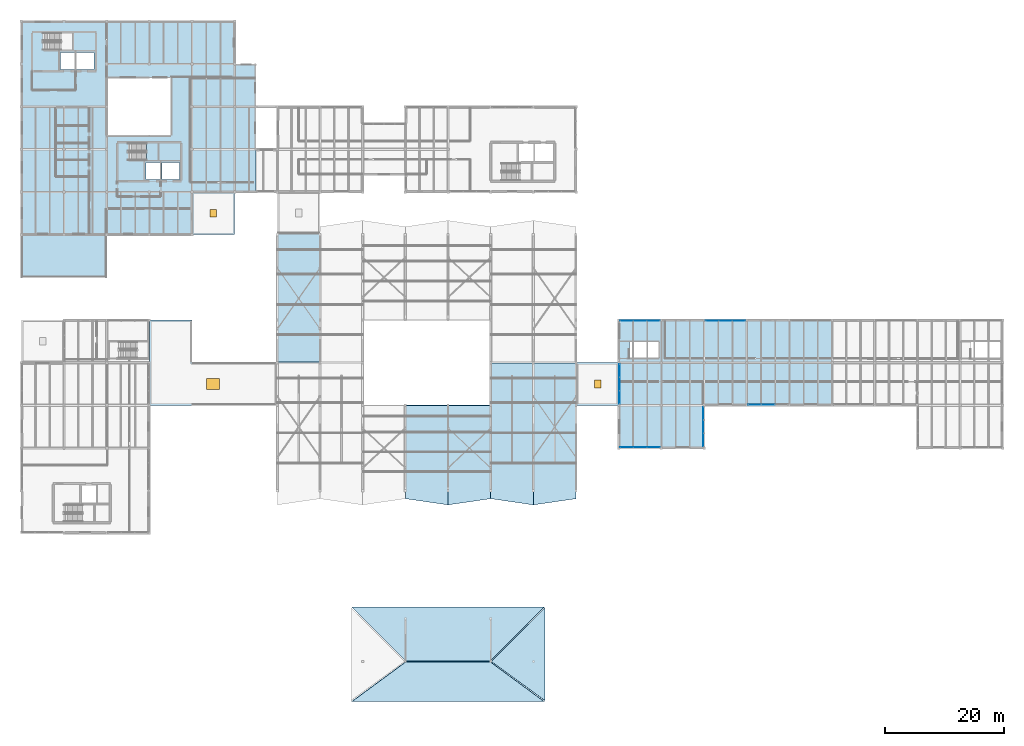
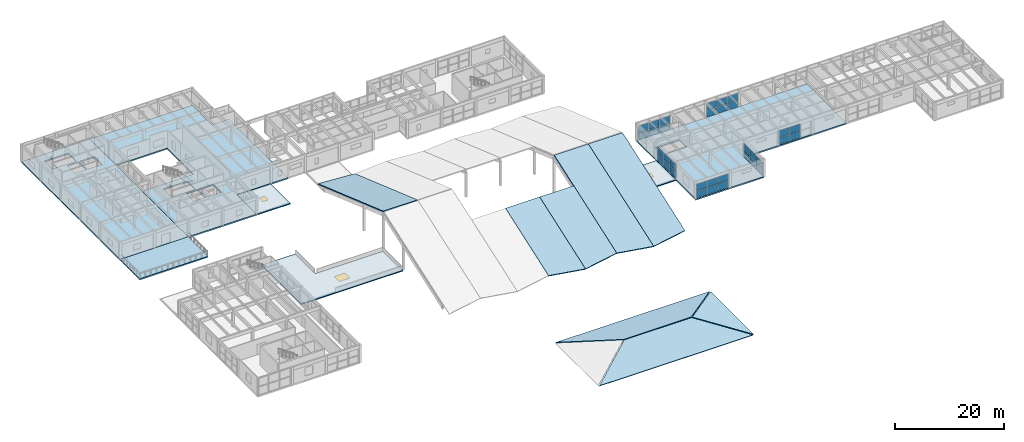
# One storey, part 50 of 68: 34 plates, 16 slabs, 2 doors, 1 window, 3 openings, 7 elements without a shape of their own.
"""IFC4 building model written with IfcOpenShell, lengths in metres."""

import ifcopenshell
import ifcopenshell.guid

model = None  # the IFC model being written
_history = None  # IfcOwnerHistory: only IFC2X3 demands one
_inside = {}  # id of a spatial element -> (the spatial element, [elements in it])
_under = {}  # id of a project, library or spatial element -> (it, [spatial elements below it])
_declared = {}  # id of a project -> (the project, [libraries it declares])
_typed = {}  # id of a type object -> (the type object, [elements of that type])
_made_of = {}  # id of a material, layer set ... -> (it, [elements and type objects made of it])


def new_model(schema):
    """Start an empty IFC model of exactly this schema.

    Asked for "IFC4X3", IfcOpenShell would pick the latest addendum, in which some entities
    have other attributes; the version numbers below select the first issue.
    IFC2X3 requires an IfcOwnerHistory on every rooted entity: one is made here for all.
    """
    global model, _history
    if schema == "IFC4X3":
        model = ifcopenshell.file(schema_version=(4, 3, 0, 0))
    else:
        model = ifcopenshell.file(schema=schema)
    _inside.clear()
    _under.clear()
    _declared.clear()
    _typed.clear()
    _made_of.clear()
    _history = None
    if model.schema == "IFC2X3":
        org = make("IfcOrganization", Name="unknown")
        user = make(
            "IfcPersonAndOrganization",
            ThePerson=make("IfcPerson", FamilyName="unknown"),
            TheOrganization=org,
        )
        app = make(
            "IfcApplication",
            ApplicationDeveloper=org,
            Version="unknown",
            ApplicationFullName="unknown",
            ApplicationIdentifier="unknown",
        )
        _history = make(
            "IfcOwnerHistory",
            OwningUser=user,
            OwningApplication=app,
            ChangeAction="ADDED",
            CreationDate=0,
        )
    return model


def make(cls, **values):
    """One entity of the class cls with the attributes given. An attribute that is None is left unset."""
    return model.create_entity(
        cls, **{name: value for name, value in values.items() if value is not None}
    )


def rooted(cls, **values):
    """An entity with a GlobalId (a new one), such as an element, a storey or a relation."""
    return make(cls, GlobalId=ifcopenshell.guid.new(), OwnerHistory=_history, **values)


def si_unit(unit_type, name, prefix=None):
    """IfcSIUnit, for example si_unit("LENGTHUNIT", "METRE", prefix="MILLI")."""
    return make("IfcSIUnit", UnitType=unit_type, Prefix=prefix, Name=name)


def assignment(units):
    """IfcUnitAssignment: the units of a project."""
    return None if units is None else make("IfcUnitAssignment", Units=units)


def point(xyz):
    """IfcCartesianPoint."""
    return None if xyz is None else make("IfcCartesianPoint", Coordinates=xyz)


def direction(xyz):
    """IfcDirection."""
    return None if xyz is None else make("IfcDirection", DirectionRatios=xyz)


def frame(location, z_axis=None, x_axis=None):
    """IfcAxis2Placement3D, a coordinate frame: its origin and axes. An axis left out is left unset."""
    return make(
        "IfcAxis2Placement3D",
        Location=point(location),
        Axis=direction(z_axis),
        RefDirection=direction(x_axis),
    )


def frame_2d(location, x_axis=None):
    """IfcAxis2Placement2D, a coordinate frame in the plane: its origin and x axis."""
    return make(
        "IfcAxis2Placement2D", Location=point(location), RefDirection=direction(x_axis)
    )


def origin():
    """The frame at (0, 0, 0) with its axes left unset."""
    return frame((0.0, 0.0, 0.0))


def origin_2d():
    """The frame at (0, 0) in the plane with its x axis left unset."""
    return frame_2d((0.0, 0.0))


def place(relative_to, where):
    """IfcLocalPlacement: puts the frame where relative to a parent placement (None: the world)."""
    return make(
        "IfcLocalPlacement", PlacementRelTo=relative_to, RelativePlacement=where
    )


def context(
    kind, dimensions, precision=None, world=None, true_north=None, identifier=None
):
    """IfcGeometricRepresentationContext, for example the 3D "Model" context."""
    return make(
        "IfcGeometricRepresentationContext",
        ContextIdentifier=identifier,
        ContextType=kind,
        CoordinateSpaceDimension=dimensions,
        Precision=precision,
        WorldCoordinateSystem=world,
        TrueNorth=true_north,
    )


def subcontext(parent, identifier, kind, view, scale=None):
    """IfcGeometricRepresentationSubContext, for example "Body" below "Model"."""
    return make(
        "IfcGeometricRepresentationSubContext",
        ContextIdentifier=identifier,
        ContextType=kind,
        ParentContext=parent,
        TargetScale=scale,
        TargetView=view,
    )


def project(units=None, contexts=None):
    """IfcProject with its units and contexts."""
    return rooted(
        "IfcProject",
        Name="project",
        RepresentationContexts=contexts,
        UnitsInContext=assignment(units),
    )


def spatial(cls, under=None, at=None, **own):
    """A site, building, storey or space (cls), placed at a placement, below another one or the project."""
    s = rooted(cls, ObjectPlacement=at, **own)
    if under is not None:
        _under.setdefault(under.id(), (under, []))[1].append(s)
    return s


def polyline(points):
    """IfcPolyline through the points."""
    return make("IfcPolyline", Points=[point(p) for p in points])


def profile(cls, at=None, kind="AREA", **sizes):
    """A parametric profile (cls). Its sizes go by their IFC names, for example OverallWidth=200.0."""
    return make(cls, ProfileType=kind, Position=at, **sizes)


def rectangle(**sizes):
    """IfcRectangleProfileDef."""
    return profile("IfcRectangleProfileDef", **sizes)


def outline(outer, holes=None, kind="AREA"):
    """IfcArbitraryClosedProfileDef: a profile drawn as a closed curve; with holes, ...WithVoids."""
    if holes is None:
        return make("IfcArbitraryClosedProfileDef", ProfileType=kind, OuterCurve=outer)
    return make(
        "IfcArbitraryProfileDefWithVoids",
        ProfileType=kind,
        OuterCurve=outer,
        InnerCurves=holes,
    )


def extrude(swept, where, along, depth):
    """IfcExtrudedAreaSolid: the profile swept, set in the frame where, extruded along a direction by depth."""
    return make(
        "IfcExtrudedAreaSolid",
        SweptArea=swept,
        Position=where,
        ExtrudedDirection=direction(along),
        Depth=depth,
    )


def shape(context_of_items, identifier, shape_type, items):
    """IfcShapeRepresentation: the items that make up one representation, for example the "Body"."""
    return make(
        "IfcShapeRepresentation",
        ContextOfItems=context_of_items,
        RepresentationIdentifier=identifier,
        RepresentationType=shape_type,
        Items=items,
    )


def material(Name=None, Category=None):
    """IfcMaterial."""
    return make("IfcMaterial", Name=Name, Category=Category)


def layer(
    of_material, thickness, ventilated=None, Name=None, Category=None, Priority=None
):
    """IfcMaterialLayer: one layer of a wall or slab, of a material (None: an air gap)."""
    return make(
        "IfcMaterialLayer",
        Material=of_material,
        LayerThickness=thickness,
        IsVentilated=ventilated,
        Name=Name,
        Category=Category,
        Priority=Priority,
    )


def layer_set(layers, Name=None):
    """IfcMaterialLayerSet."""
    return make("IfcMaterialLayerSet", MaterialLayers=layers, LayerSetName=Name)


def made_of(thing, what):
    """Note that an element or type object is made of a material, layer set ...; save() writes the relation."""
    if what is not None:
        _made_of.setdefault(what.id(), (what, []))[1].append(thing)
    return thing


def type_object(cls, material=None, **own):
    """A type object (cls), such as IfcWallType, which elements share."""
    return made_of(rooted(cls, **own), material)


def element(
    cls,
    number,
    at=None,
    inside=None,
    cuts=None,
    type_object=None,
    material=None,
    context=None,
    identifier="Body",
    shape_type=None,
    held_by="IfcProductDefinitionShape",
    body=None,
    shapes=None,
    **own,
):
    """One element of the class cls, such as IfcWall. Its Tag is "e" and its number.

    at: its placement. inside: the storey or other place that contains it. cuts: it is an
    opening in that element (IfcRelVoidsElement). A single representation is given by context,
    identifier, shape_type and body (its items); several are given by shapes. held_by: the class
    of the entity that holds the representations. save() writes the other relations.
    """
    e = rooted(cls, Tag="e%d" % number, ObjectPlacement=at, **own)
    if body is not None:
        shapes = [shape(context, identifier, shape_type, body)]
    if shapes is not None:
        e.Representation = make(held_by, Representations=shapes)
    if inside is not None:
        _inside.setdefault(inside.id(), (inside, []))[1].append(e)
    if cuts is not None:
        rooted(
            "IfcRelVoidsElement", RelatingBuildingElement=cuts, RelatedOpeningElement=e
        )
    if type_object is not None:
        _typed.setdefault(type_object.id(), (type_object, []))[1].append(e)
    return made_of(e, material)


def fill(opening, filler):
    """IfcRelFillsElement: the door or window that sits in an opening."""
    return rooted(
        "IfcRelFillsElement",
        RelatingOpeningElement=opening,
        RelatedBuildingElement=filler,
    )


def aggregate(whole, parts):
    """IfcRelAggregates: a whole, such as a stair, and the parts it consists of."""
    return rooted("IfcRelAggregates", RelatingObject=whole, RelatedObjects=parts)


def save(model, path):
    """Write the relations noted so far, then the file.

    IfcRelAggregates (storeys below a building ...), IfcRelContainedInSpatialStructure (elements
    in a storey), IfcRelDefinesByType, IfcRelAssociatesMaterial and IfcRelDeclares: one each for
    every whole, place, type object, material and project.
    """
    for whole, parts in _under.values():
        aggregate(whole, parts)
    for where, things in _inside.values():
        rooted(
            "IfcRelContainedInSpatialStructure",
            RelatedElements=things,
            RelatingStructure=where,
        )
    for kind, things in _typed.values():
        rooted("IfcRelDefinesByType", RelatedObjects=things, RelatingType=kind)
    for what, things in _made_of.values():
        rooted("IfcRelAssociatesMaterial", RelatedObjects=things, RelatingMaterial=what)
    for by, libraries in _declared.values():
        rooted("IfcRelDeclares", RelatingContext=by, RelatedDefinitions=libraries)
    model.write(path)


model = new_model("IFC4")

# Units and contexts
model_context = context("Model", 3, precision=1e-05, world=origin(), true_north=direction((0.0, 1.0)))
body_context = subcontext(model_context, "Body", "Model", "MODEL_VIEW")
ifc_project = project(units=[si_unit("LENGTHUNIT", "METRE"), si_unit("AREAUNIT", "SQUARE_METRE"), si_unit("VOLUMEUNIT", "CUBIC_METRE"), si_unit("PLANEANGLEUNIT", "RADIAN"), si_unit("MASSUNIT", "GRAM", prefix="KILO")], contexts=[model_context])

# Site, building, storey
site_placement = place(None, origin())
site = spatial("IfcSite", under=ifc_project, at=site_placement, CompositionType="ELEMENT")
building_placement = place(site_placement, origin())
building = spatial("IfcBuilding", under=site, at=building_placement, Name="Bramvelor Terrace Health Centre", CompositionType="ELEMENT")
storey_placement = place(building_placement, frame((0.0, 0.0, 9.300048828125)))
storey = spatial("IfcBuildingStorey", under=building, at=storey_placement, Name="L03", CompositionType="ELEMENT", Elevation=9.300048828125)

# Curtain wall, plates
ifc_material_1 = material(Name="Anodized aluminium and double low-E glass", Category="aluminium")
curtain_wall_type = type_object("IfcCurtainWallType", Name="CW-SYS-27", PredefinedType="NOTDEFINED", material=ifc_material_1)
curtain_wall_1_placement = place(storey_placement, origin())
curtain_wall_1 = element("IfcCurtainWall", 1, at=curtain_wall_1_placement, inside=storey, type_object=curtain_wall_type, Name="L03 Unitized Curtain Wall 161", PredefinedType="NOTDEFINED")
ifc_material_2 = material(Name="Double low-E laminated glass", Category="glass")
ifc_layer_1 = layer(ifc_material_2, 0.028076171875)
ifc_layer_set_1 = layer_set([ifc_layer_1], Name="Double low-E laminated glass")
plate_type = type_object("IfcPlateType", Name="CW-PNL-GLZ28", PredefinedType="CURTAIN_PANEL", material=ifc_layer_set_1)
plate_1_placement = place(storey_placement, frame((100.929931640625, 51.75537109375, 0.06494140625), z_axis=(0.0, 0.0, 1.0), x_axis=(0.0, 1.0, 0.0)))
plate_1 = element("IfcPlate", 2, at=plate_1_placement, type_object=plate_type, Name="CW-27 panel 1.1", PredefinedType="CURTAIN_PANEL", context=body_context, shape_type="SweptSolid", body=[
    extrude(rectangle(XDim=2.15087890625, YDim=0.028076171875, at=origin_2d()), origin(), (0.0, 0.0, 1.0), 1.517578125),
])
plate_2_placement = place(storey_placement, frame((100.929931640625, 51.75537109375, 1.6474609375), z_axis=(0.0, 0.0, 1.0), x_axis=(0.0, 1.0, 0.0)))
plate_2 = element("IfcPlate", 3, at=plate_2_placement, type_object=plate_type, Name="CW-27 panel 1.2", PredefinedType="CURTAIN_PANEL", context=body_context, shape_type="SweptSolid", body=[
    extrude(rectangle(XDim=2.15087890625, YDim=0.028076171875, at=origin_2d()), origin(), (0.0, 0.0, 1.0), 1.517578125),
])
plate_3_placement = place(storey_placement, frame((100.929931640625, 54.0, 0.06494140625), z_axis=(0.0, 0.0, 1.0), x_axis=(0.0, 1.0, 0.0)))
plate_3 = element("IfcPlate", 4, at=plate_3_placement, type_object=plate_type, Name="CW-27 panel 2.1", PredefinedType="CURTAIN_PANEL", context=body_context, shape_type="SweptSolid", body=[
    extrude(rectangle(XDim=2.188232421875, YDim=0.028076171875, at=origin_2d()), origin(), (0.0, 0.0, 1.0), 1.517578125),
])
plate_4_placement = place(storey_placement, frame((100.929931640625, 54.0, 1.6474609375), z_axis=(0.0, 0.0, 1.0), x_axis=(0.0, 1.0, 0.0)))
plate_4 = element("IfcPlate", 5, at=plate_4_placement, type_object=plate_type, Name="CW-27 panel 2.2", PredefinedType="CURTAIN_PANEL", context=body_context, shape_type="SweptSolid", body=[
    extrude(rectangle(XDim=2.188232421875, YDim=0.028076171875, at=origin_2d()), origin(), (0.0, 0.0, 1.0), 1.517578125),
])
plate_5_placement = place(storey_placement, frame((100.929931640625, 56.24462890625, 0.06494140625), z_axis=(0.0, 0.0, 1.0), x_axis=(0.0, 1.0, 0.0)))
plate_5 = element("IfcPlate", 6, at=plate_5_placement, type_object=plate_type, Name="CW-27 panel 3.1", PredefinedType="CURTAIN_PANEL", context=body_context, shape_type="SweptSolid", body=[
    extrude(rectangle(XDim=2.15087890625, YDim=0.028076171875, at=origin_2d()), origin(), (0.0, 0.0, 1.0), 1.517578125),
])
plate_6_placement = place(storey_placement, frame((100.929931640625, 56.24462890625, 1.6474609375), z_axis=(0.0, 0.0, 1.0), x_axis=(0.0, 1.0, 0.0)))
plate_6 = element("IfcPlate", 7, at=plate_6_placement, type_object=plate_type, Name="CW-27 panel 3.2", PredefinedType="CURTAIN_PANEL", context=body_context, shape_type="SweptSolid", body=[
    extrude(rectangle(XDim=2.15087890625, YDim=0.028076171875, at=origin_2d()), origin(), (0.0, 0.0, 1.0), 1.517578125),
])
aggregate(curtain_wall_1, [plate_1, plate_2, plate_3, plate_4, plate_5, plate_6])

curtain_wall_2_placement = place(storey_placement, origin())
curtain_wall_2 = element("IfcCurtainWall", 8, at=curtain_wall_2_placement, inside=storey, type_object=curtain_wall_type, Name="L03 Unitized Curtain Wall 162", PredefinedType="NOTDEFINED")
plate_7_placement = place(storey_placement, frame((102.155517578125, 64.669921875, 0.06494140625), z_axis=(0.0, 0.0, 1.0), x_axis=(1.0, 0.0, 0.0)))
plate_7 = element("IfcPlate", 9, at=plate_7_placement, type_object=plate_type, Name="CW-27 panel 1.1", PredefinedType="CURTAIN_PANEL", context=body_context, shape_type="SweptSolid", body=[
    extrude(rectangle(XDim=2.15087890625, YDim=0.028076171875, at=origin_2d()), origin(), (0.0, 0.0, 1.0), 1.517578125),
])
plate_8_placement = place(storey_placement, frame((102.155517578125, 64.669921875, 1.6474609375), z_axis=(0.0, 0.0, 1.0), x_axis=(1.0, 0.0, 0.0)))
plate_8 = element("IfcPlate", 10, at=plate_8_placement, type_object=plate_type, Name="CW-27 panel 1.2", PredefinedType="CURTAIN_PANEL", context=body_context, shape_type="SweptSolid", body=[
    extrude(rectangle(XDim=2.15087890625, YDim=0.028076171875, at=origin_2d()), origin(), (0.0, 0.0, 1.0), 1.517578125),
])
plate_9_placement = place(storey_placement, frame((104.39990234375, 64.669921875, 0.06494140625), z_axis=(0.0, 0.0, 1.0), x_axis=(1.0, 0.0, 0.0)))
plate_9 = element("IfcPlate", 11, at=plate_9_placement, type_object=plate_type, Name="CW-27 panel 2.1", PredefinedType="CURTAIN_PANEL", context=body_context, shape_type="SweptSolid", body=[
    extrude(rectangle(XDim=2.188232421875, YDim=0.028076171875, at=origin_2d()), origin(), (0.0, 0.0, 1.0), 1.517578125),
])
plate_10_placement = place(storey_placement, frame((104.39990234375, 64.669921875, 1.6474609375), z_axis=(0.0, 0.0, 1.0), x_axis=(1.0, 0.0, 0.0)))
plate_10 = element("IfcPlate", 12, at=plate_10_placement, type_object=plate_type, Name="CW-27 panel 2.2", PredefinedType="CURTAIN_PANEL", context=body_context, shape_type="SweptSolid", body=[
    extrude(rectangle(XDim=2.188232421875, YDim=0.028076171875, at=origin_2d()), origin(), (0.0, 0.0, 1.0), 1.517578125),
])
plate_11_placement = place(storey_placement, frame((106.64453125, 64.669921875, 0.06494140625), z_axis=(0.0, 0.0, 1.0), x_axis=(1.0, 0.0, 0.0)))
plate_11 = element("IfcPlate", 13, at=plate_11_placement, type_object=plate_type, Name="CW-27 panel 3.1", PredefinedType="CURTAIN_PANEL", context=body_context, shape_type="SweptSolid", body=[
    extrude(rectangle(XDim=2.15087890625, YDim=0.028076171875, at=origin_2d()), origin(), (0.0, 0.0, 1.0), 1.517578125),
])
plate_12_placement = place(storey_placement, frame((106.64453125, 64.669921875, 1.6474609375), z_axis=(0.0, 0.0, 1.0), x_axis=(1.0, 0.0, 0.0)))
plate_12 = element("IfcPlate", 14, at=plate_12_placement, type_object=plate_type, Name="CW-27 panel 3.2", PredefinedType="CURTAIN_PANEL", context=body_context, shape_type="SweptSolid", body=[
    extrude(rectangle(XDim=2.15087890625, YDim=0.028076171875, at=origin_2d()), origin(), (0.0, 0.0, 1.0), 1.517578125),
])
aggregate(curtain_wall_2, [plate_7, plate_8, plate_9, plate_10, plate_11, plate_12])

curtain_wall_3_placement = place(storey_placement, origin())
curtain_wall_3 = element("IfcCurtainWall", 15, at=curtain_wall_3_placement, inside=storey, type_object=curtain_wall_type, Name="L03 Unitized Curtain Wall 163", PredefinedType="NOTDEFINED")
plate_13_placement = place(storey_placement, frame((116.555419921875, 64.669921875, 0.06494140625), z_axis=(0.0, 0.0, 1.0), x_axis=(1.0, 0.0, 0.0)))
plate_13 = element("IfcPlate", 16, at=plate_13_placement, type_object=plate_type, Name="CW-27 panel 1.1", PredefinedType="CURTAIN_PANEL", context=body_context, shape_type="SweptSolid", body=[
    extrude(rectangle(XDim=2.15087890625, YDim=0.028076171875, at=origin_2d()), origin(), (0.0, 0.0, 1.0), 1.517578125),
])
plate_14_placement = place(storey_placement, frame((116.555419921875, 64.669921875, 1.6474609375), z_axis=(0.0, 0.0, 1.0), x_axis=(1.0, 0.0, 0.0)))
plate_14 = element("IfcPlate", 17, at=plate_14_placement, type_object=plate_type, Name="CW-27 panel 1.2", PredefinedType="CURTAIN_PANEL", context=body_context, shape_type="SweptSolid", body=[
    extrude(rectangle(XDim=2.15087890625, YDim=0.028076171875, at=origin_2d()), origin(), (0.0, 0.0, 1.0), 1.517578125),
])
plate_15_placement = place(storey_placement, frame((118.800048828125, 64.669921875, 0.06494140625), z_axis=(0.0, 0.0, 1.0), x_axis=(1.0, 0.0, 0.0)))
plate_15 = element("IfcPlate", 18, at=plate_15_placement, type_object=plate_type, Name="CW-27 panel 2.1", PredefinedType="CURTAIN_PANEL", context=body_context, shape_type="SweptSolid", body=[
    extrude(rectangle(XDim=2.188232421875, YDim=0.028076171875, at=origin_2d()), origin(), (0.0, 0.0, 1.0), 1.517578125),
])
plate_16_placement = place(storey_placement, frame((118.800048828125, 64.669921875, 1.6474609375), z_axis=(0.0, 0.0, 1.0), x_axis=(1.0, 0.0, 0.0)))
plate_16 = element("IfcPlate", 19, at=plate_16_placement, type_object=plate_type, Name="CW-27 panel 2.2", PredefinedType="CURTAIN_PANEL", context=body_context, shape_type="SweptSolid", body=[
    extrude(rectangle(XDim=2.188232421875, YDim=0.028076171875, at=origin_2d()), origin(), (0.0, 0.0, 1.0), 1.517578125),
])
plate_17_placement = place(storey_placement, frame((121.044677734375, 64.669921875, 0.06494140625), z_axis=(0.0, 0.0, 1.0), x_axis=(1.0, 0.0, 0.0)))
plate_17 = element("IfcPlate", 20, at=plate_17_placement, type_object=plate_type, Name="CW-27 panel 3.1", PredefinedType="CURTAIN_PANEL", context=body_context, shape_type="SweptSolid", body=[
    extrude(rectangle(XDim=2.15087890625, YDim=0.028076171875, at=origin_2d()), origin(), (0.0, 0.0, 1.0), 1.517578125),
])
plate_18_placement = place(storey_placement, frame((121.044677734375, 64.669921875, 1.6474609375), z_axis=(0.0, 0.0, 1.0), x_axis=(1.0, 0.0, 0.0)))
plate_18 = element("IfcPlate", 21, at=plate_18_placement, type_object=plate_type, Name="CW-27 panel 3.2", PredefinedType="CURTAIN_PANEL", context=body_context, shape_type="SweptSolid", body=[
    extrude(rectangle(XDim=2.15087890625, YDim=0.028076171875, at=origin_2d()), origin(), (0.0, 0.0, 1.0), 1.517578125),
])
aggregate(curtain_wall_3, [plate_13, plate_14, plate_15, plate_16, plate_17, plate_18])

curtain_wall_4_placement = place(storey_placement, origin())
curtain_wall_4 = element("IfcCurtainWall", 22, at=curtain_wall_4_placement, inside=storey, type_object=curtain_wall_type, Name="L03 Unitized Curtain Wall 171", PredefinedType="NOTDEFINED")
plate_19_placement = place(storey_placement, frame((126.0, 50.530029296875, 0.06494140625), z_axis=(0.0, 0.0, 1.0), x_axis=(-1.0, 0.0, 0.0)))
plate_19 = element("IfcPlate", 23, at=plate_19_placement, type_object=plate_type, Name="CW-27 panel 2.1", PredefinedType="CURTAIN_PANEL", context=body_context, shape_type="SweptSolid", body=[
    extrude(rectangle(XDim=2.188232421875, YDim=0.028076171875, at=origin_2d()), origin(), (0.0, 0.0, 1.0), 1.517578125),
])
plate_20_placement = place(storey_placement, frame((126.0, 50.530029296875, 1.6474609375), z_axis=(0.0, 0.0, 1.0), x_axis=(-1.0, 0.0, 0.0)))
plate_20 = element("IfcPlate", 24, at=plate_20_placement, type_object=plate_type, Name="CW-27 panel 2.2", PredefinedType="CURTAIN_PANEL", context=body_context, shape_type="SweptSolid", body=[
    extrude(rectangle(XDim=2.188232421875, YDim=0.028076171875, at=origin_2d()), origin(), (0.0, 0.0, 1.0), 1.517578125),
])
plate_21_placement = place(storey_placement, frame((123.75537109375, 50.530029296875, 0.06494140625), z_axis=(0.0, 0.0, 1.0), x_axis=(-1.0, 0.0, 0.0)))
plate_21 = element("IfcPlate", 25, at=plate_21_placement, type_object=plate_type, Name="CW-27 panel 3.1", PredefinedType="CURTAIN_PANEL", context=body_context, shape_type="SweptSolid", body=[
    extrude(rectangle(XDim=2.15087890625, YDim=0.028076171875, at=origin_2d()), origin(), (0.0, 0.0, 1.0), 1.517578125),
])
plate_22_placement = place(storey_placement, frame((123.75537109375, 50.530029296875, 1.6474609375), z_axis=(0.0, 0.0, 1.0), x_axis=(-1.0, 0.0, 0.0)))
plate_22 = element("IfcPlate", 26, at=plate_22_placement, type_object=plate_type, Name="CW-27 panel 3.2", PredefinedType="CURTAIN_PANEL", context=body_context, shape_type="SweptSolid", body=[
    extrude(rectangle(XDim=2.15087890625, YDim=0.028076171875, at=origin_2d()), origin(), (0.0, 0.0, 1.0), 1.517578125),
])
aggregate(curtain_wall_4, [plate_19, plate_20, plate_21, plate_22])

curtain_wall_5_placement = place(storey_placement, origin())
curtain_wall_5 = element("IfcCurtainWall", 27, at=curtain_wall_5_placement, inside=storey, type_object=curtain_wall_type, Name="L03 Unitized Curtain Wall 172", PredefinedType="NOTDEFINED")
plate_23_placement = place(storey_placement, frame((115.070068359375, 49.044677734375, 0.06494140625), z_axis=(0.0, 0.0, 1.0), x_axis=(0.0, -1.0, 0.0)))
plate_23 = element("IfcPlate", 28, at=plate_23_placement, type_object=plate_type, Name="CW-27 panel 1.1", PredefinedType="CURTAIN_PANEL", context=body_context, shape_type="SweptSolid", body=[
    extrude(rectangle(XDim=2.15087890625, YDim=0.028076171875, at=origin_2d()), origin(), (0.0, 0.0, 1.0), 1.517578125),
])
plate_24_placement = place(storey_placement, frame((115.070068359375, 49.044677734375, 1.6474609375), z_axis=(0.0, 0.0, 1.0), x_axis=(0.0, -1.0, 0.0)))
plate_24 = element("IfcPlate", 29, at=plate_24_placement, type_object=plate_type, Name="CW-27 panel 1.2", PredefinedType="CURTAIN_PANEL", context=body_context, shape_type="SweptSolid", body=[
    extrude(rectangle(XDim=2.15087890625, YDim=0.028076171875, at=origin_2d()), origin(), (0.0, 0.0, 1.0), 1.517578125),
])
plate_25_placement = place(storey_placement, frame((115.070068359375, 46.800048828125, 0.06494140625), z_axis=(0.0, 0.0, 1.0), x_axis=(0.0, -1.0, 0.0)))
plate_25 = element("IfcPlate", 30, at=plate_25_placement, type_object=plate_type, Name="CW-27 panel 2.1", PredefinedType="CURTAIN_PANEL", context=body_context, shape_type="SweptSolid", body=[
    extrude(rectangle(XDim=2.188232421875, YDim=0.028076171875, at=origin_2d()), origin(), (0.0, 0.0, 1.0), 1.517578125),
])
plate_26_placement = place(storey_placement, frame((115.070068359375, 46.800048828125, 1.6474609375), z_axis=(0.0, 0.0, 1.0), x_axis=(0.0, -1.0, 0.0)))
plate_26 = element("IfcPlate", 31, at=plate_26_placement, type_object=plate_type, Name="CW-27 panel 2.2", PredefinedType="CURTAIN_PANEL", context=body_context, shape_type="SweptSolid", body=[
    extrude(rectangle(XDim=2.188232421875, YDim=0.028076171875, at=origin_2d()), origin(), (0.0, 0.0, 1.0), 1.517578125),
])
plate_27_placement = place(storey_placement, frame((115.070068359375, 44.555419921875, 0.06494140625), z_axis=(0.0, 0.0, 1.0), x_axis=(0.0, -1.0, 0.0)))
plate_27 = element("IfcPlate", 32, at=plate_27_placement, type_object=plate_type, Name="CW-27 panel 3.1", PredefinedType="CURTAIN_PANEL", context=body_context, shape_type="SweptSolid", body=[
    extrude(rectangle(XDim=2.15087890625, YDim=0.028076171875, at=origin_2d()), origin(), (0.0, 0.0, 1.0), 1.517578125),
])
plate_28_placement = place(storey_placement, frame((115.070068359375, 44.555419921875, 1.6474609375), z_axis=(0.0, 0.0, 1.0), x_axis=(0.0, -1.0, 0.0)))
plate_28 = element("IfcPlate", 33, at=plate_28_placement, type_object=plate_type, Name="CW-27 panel 3.2", PredefinedType="CURTAIN_PANEL", context=body_context, shape_type="SweptSolid", body=[
    extrude(rectangle(XDim=2.15087890625, YDim=0.028076171875, at=origin_2d()), origin(), (0.0, 0.0, 1.0), 1.517578125),
])
aggregate(curtain_wall_5, [plate_23, plate_24, plate_25, plate_26, plate_27, plate_28])

curtain_wall_6_placement = place(storey_placement, origin())
curtain_wall_6 = element("IfcCurtainWall", 34, at=curtain_wall_6_placement, inside=storey, type_object=curtain_wall_type, Name="L03 Unitized Curtain Wall 173", PredefinedType="NOTDEFINED")
plate_29_placement = place(storey_placement, frame((106.64453125, 43.330078125, 0.06494140625), z_axis=(0.0, 0.0, 1.0), x_axis=(-1.0, 0.0, 0.0)))
plate_29 = element("IfcPlate", 35, at=plate_29_placement, type_object=plate_type, Name="CW-27 panel 1.1", PredefinedType="CURTAIN_PANEL", context=body_context, shape_type="SweptSolid", body=[
    extrude(rectangle(XDim=2.15087890625, YDim=0.028076171875, at=origin_2d()), origin(), (0.0, 0.0, 1.0), 1.517578125),
])
plate_30_placement = place(storey_placement, frame((106.64453125, 43.330078125, 1.6474609375), z_axis=(0.0, 0.0, 1.0), x_axis=(-1.0, 0.0, 0.0)))
plate_30 = element("IfcPlate", 36, at=plate_30_placement, type_object=plate_type, Name="CW-27 panel 1.2", PredefinedType="CURTAIN_PANEL", context=body_context, shape_type="SweptSolid", body=[
    extrude(rectangle(XDim=2.15087890625, YDim=0.028076171875, at=origin_2d()), origin(), (0.0, 0.0, 1.0), 1.517578125),
])
plate_31_placement = place(storey_placement, frame((104.39990234375, 43.330078125, 0.06494140625), z_axis=(0.0, 0.0, 1.0), x_axis=(-1.0, 0.0, 0.0)))
plate_31 = element("IfcPlate", 37, at=plate_31_placement, type_object=plate_type, Name="CW-27 panel 2.1", PredefinedType="CURTAIN_PANEL", context=body_context, shape_type="SweptSolid", body=[
    extrude(rectangle(XDim=2.188232421875, YDim=0.028076171875, at=origin_2d()), origin(), (0.0, 0.0, 1.0), 1.517578125),
])
plate_32_placement = place(storey_placement, frame((104.39990234375, 43.330078125, 1.6474609375), z_axis=(0.0, 0.0, 1.0), x_axis=(-1.0, 0.0, 0.0)))
plate_32 = element("IfcPlate", 38, at=plate_32_placement, type_object=plate_type, Name="CW-27 panel 2.2", PredefinedType="CURTAIN_PANEL", context=body_context, shape_type="SweptSolid", body=[
    extrude(rectangle(XDim=2.188232421875, YDim=0.028076171875, at=origin_2d()), origin(), (0.0, 0.0, 1.0), 1.517578125),
])
plate_33_placement = place(storey_placement, frame((102.155517578125, 43.330078125, 0.06494140625), z_axis=(0.0, 0.0, 1.0), x_axis=(-1.0, 0.0, 0.0)))
plate_33 = element("IfcPlate", 39, at=plate_33_placement, type_object=plate_type, Name="CW-27 panel 3.1", PredefinedType="CURTAIN_PANEL", context=body_context, shape_type="SweptSolid", body=[
    extrude(rectangle(XDim=2.15087890625, YDim=0.028076171875, at=origin_2d()), origin(), (0.0, 0.0, 1.0), 1.517578125),
])
plate_34_placement = place(storey_placement, frame((102.155517578125, 43.330078125, 1.6474609375), z_axis=(0.0, 0.0, 1.0), x_axis=(-1.0, 0.0, 0.0)))
plate_34 = element("IfcPlate", 40, at=plate_34_placement, type_object=plate_type, Name="CW-27 panel 3.2", PredefinedType="CURTAIN_PANEL", context=body_context, shape_type="SweptSolid", body=[
    extrude(rectangle(XDim=2.15087890625, YDim=0.028076171875, at=origin_2d()), origin(), (0.0, 0.0, 1.0), 1.517578125),
])
aggregate(curtain_wall_6, [plate_29, plate_30, plate_31, plate_32, plate_33, plate_34])

# Slabs
ifc_material_3 = material(Name="Concrete C40/50", Category="concrete")
ifc_layer_2 = layer(ifc_material_3, 0.280029296875)
ifc_layer_set_2 = layer_set([ifc_layer_2], Name="Concrete C40/50")
slab_type_1 = type_object("IfcSlabType", Name="SLB-EXT-POD-280", PredefinedType="FLOOR", material=ifc_layer_set_2)
slab_1_placement = place(storey_placement, frame((0.0, 0.0, -0.280029296875)))
element("IfcSlab", 41, at=slab_1_placement, inside=storey, type_object=slab_type_1, Name="L03 V4 Step1 Exterior Slab", PredefinedType="FLOOR", context=body_context, shape_type="SweptSolid", body=[
    extrude(outline(polyline([(14.39990234375, 72.0), (0.0, 72.0), (0.0, 79.195068359375), (14.39990234375, 79.195068359375), (14.39990234375, 72.0)])), origin(), (0.0, 0.0, 1.0), 0.280029296875),
])
ifc_material_4 = material(Name="Concrete C40/50", Category="concrete")
ifc_layer_3 = layer(ifc_material_4, 0.300048828125)
ifc_layer_set_3 = layer_set([ifc_layer_3], Name="Concrete C40/50")
slab_type_2 = type_object("IfcSlabType", Name="SLB-FLR-RC300", PredefinedType="FLOOR", material=ifc_layer_set_3)
slab_2_placement = place(storey_placement, frame((0.0, 0.0, -0.300048828125)))
element("IfcSlab", 42, at=slab_2_placement, inside=storey, type_object=slab_type_2, Name="L03 V2_SMK1 Floor Slab", PredefinedType="FLOOR", context=body_context, shape_type="SweptSolid", body=[
    extrude(outline(polyline([(136.800048828125, 64.800048828125), (136.800048828125, 50.39990234375), (115.199951171875, 50.39990234375), (115.199951171875, 43.199951171875), (100.800048828125, 43.199951171875), (100.800048828125, 50.39990234375), (100.800048828125, 64.800048828125), (136.800048828125, 64.800048828125)]), holes=[polyline([(107.699951171875, 61.10009765625), (102.6298828125, 61.10009765625), (102.6298828125, 58.39990234375), (107.699951171875, 58.39990234375), (107.699951171875, 61.10009765625)])]), origin(), (0.0, 0.0, 1.0), 0.300048828125),
])
slab_3_placement = place(storey_placement, frame((0.0, 0.0, -0.300048828125)))
element("IfcSlab", 43, at=slab_3_placement, inside=storey, type_object=slab_type_2, Name="L03 V4_E Floor Slab", PredefinedType="FLOOR", context=body_context, shape_type="SweptSolid", body=[
    extrude(outline(polyline([(39.60009765625, 86.39990234375), (36.0, 86.39990234375), (28.800048828125, 86.39990234375), (28.800048828125, 79.199951171875), (14.39990234375, 79.199951171875), (14.39990234375, 96.0), (25.199951171875, 96.0), (25.199951171875, 105.60009765625), (14.39990234375, 105.60009765625), (14.39990234375, 115.199951171875), (36.0, 115.199951171875), (36.0, 108.0), (39.60009765625, 108.0), (39.60009765625, 86.39990234375)]), holes=[polyline([(18.080078125, 91.75), (23.14990234375, 91.75), (23.14990234375, 94.64990234375), (18.080078125, 94.64990234375), (18.080078125, 91.75)]), polyline([(21.0, 91.35009765625), (21.0, 88.5), (23.39990234375, 88.5), (23.39990234375, 91.35009765625), (21.0, 91.35009765625)]), polyline([(26.699951171875, 91.35009765625), (23.699951171875, 91.35009765625), (23.699951171875, 88.5), (26.699951171875, 88.5), (26.699951171875, 91.35009765625)])]), origin(), (0.0, 0.0, 1.0), 0.300048828125),
])
slab_4_placement = place(storey_placement, frame((0.0, 0.0, -0.300048828125)))
element("IfcSlab", 44, at=slab_4_placement, inside=storey, type_object=slab_type_2, Name="L03 V4_W Floor Slab", PredefinedType="FLOOR", context=body_context, shape_type="SweptSolid", body=[
    extrude(outline(polyline([(14.39990234375, 79.199951171875), (0.0, 79.199951171875), (0.0, 115.199951171875), (14.39990234375, 115.199951171875), (14.39990234375, 105.60009765625), (14.39990234375, 96.0), (14.39990234375, 79.199951171875)]), holes=[polyline([(3.679931640625, 110.35009765625), (8.75, 110.35009765625), (8.75, 113.25), (3.679931640625, 113.25), (3.679931640625, 110.35009765625)]), polyline([(6.60009765625, 109.949951171875), (6.60009765625, 107.10009765625), (9.0, 107.10009765625), (9.0, 109.949951171875), (6.60009765625, 109.949951171875)]), polyline([(12.300048828125, 109.949951171875), (9.300048828125, 109.949951171875), (9.300048828125, 107.10009765625), (12.300048828125, 107.10009765625), (12.300048828125, 109.949951171875)])]), origin(), (0.0, 0.0, 1.0), 0.300048828125),
])

# Stair, slab
ifc_material_5 = material(Name="Concrete C40/50", Category="concrete")
stair_type = type_object("IfcStairType", Name="STR-CORE", PredefinedType="HALF_TURN_STAIR", material=ifc_material_5)
stair_placement = place(storey_placement, origin())
stair = element("IfcStair", 45, at=stair_placement, inside=storey, type_object=stair_type, Name="L03 C2 Primary Fire Stair", PredefinedType="HALF_TURN_STAIR")
ifc_material_6 = material(Name="Concrete C40/50", Category="concrete")
ifc_layer_4 = layer(ifc_material_6, 0.199951171875)
ifc_layer_set_4 = layer_set([ifc_layer_4], Name="Concrete C40/50")
slab_type_3 = type_object("IfcSlabType", Name="SLB-LND-200", PredefinedType="LANDING", material=ifc_layer_set_4)
slab_5_placement = place(storey_placement, frame((0.0, 0.0, 1.89990234375)))
slab_5 = element("IfcSlab", 46, at=slab_5_placement, type_object=slab_type_3, Name="ST-2 landing 1", PredefinedType="LANDING", context=body_context, shape_type="SweptSolid", body=[
    extrude(outline(polyline([(21.135009765625, 91.75), (23.054931640625, 91.75), (23.054931640625, 94.64990234375), (21.135009765625, 94.64990234375), (21.135009765625, 91.75)])), origin(), (0.0, 0.0, 1.0), 0.199951171875),
])
aggregate(stair, [slab_5])

# Slabs
ifc_material_7 = material(Name="Cross-laminated timber C24", Category="wood")
ifc_layer_5 = layer(ifc_material_7, 0.2099609375)
ifc_layer_set_5 = layer_set([ifc_layer_5], Name="Cross-laminated timber C24")
slab_type_4 = type_object("IfcSlabType", Name="SLB-RF-FP210", PredefinedType="ROOF", material=ifc_layer_set_5)
slab_6_placement = place(storey_placement, frame((43.199951171875, 57.679931640625, 8.671875), z_axis=(5.044243e-06, 0.330343624265, 0.943860736487), x_axis=(0.999999999987, -1.666334e-06, -4.761063e-06)))
element("IfcSlab", 47, at=slab_6_placement, inside=storey, type_object=slab_type_4, Name="Waiting Hall Folded-Plate Roof North Bay 1", PredefinedType="ROOF", context=body_context, shape_type="SweptSolid", body=[
    extrude(outline(polyline([(0.0, 0.0), (7.199951171783401, -1.5246489653000837e-21), (7.1999511719666, 24.230406351948968), (-1.831983619302426e-10, 25.342884912058327), (0.0, 0.0)])), origin(), (0.0, 0.0, -1.0), 0.2099609375),
])
slab_7_placement = place(storey_placement, frame((64.800048828125, 34.64990234375, 0.66748046875), z_axis=(2.06447e-07, -0.330347901987, 0.943859239322), x_axis=(0.98827737167, -0.144098019256, -0.050434090577)))
element("IfcSlab", 48, at=slab_7_placement, inside=storey, type_object=slab_type_4, Name="Waiting Hall Folded-Plate Roof South Bay 4", PredefinedType="ROOF", context=body_context, shape_type="SweptSolid", body=[
    extrude(outline(polyline([(0.0, 0.0), (7.285354677008617, 4.163336342344337e-17), (4.567989555311061, 17.59040608463203), (-2.5475592649794194, 16.491196430632968), (0.0, 0.0)])), origin(), (0.0, 0.0, -1.0), 0.2099609375),
])
slab_8_placement = place(storey_placement, frame((72.0, 33.60009765625, 0.300048828125), z_axis=(-2.06447e-07, -0.330347901987, 0.943859239322), x_axis=(0.98827737167, 0.144098019256, 0.050434090577)))
element("IfcSlab", 49, at=slab_8_placement, inside=storey, type_object=slab_type_4, Name="Waiting Hall Folded-Plate Roof South Bay 5", PredefinedType="ROOF", context=body_context, shape_type="SweptSolid", body=[
    extrude(outline(polyline([(0.0, 0.0), (7.285354677008617, -4.163336342344337e-17), (9.832913941988036, 16.491196430632964), (2.717365121697556, 17.590406084632026), (0.0, 0.0)])), origin(), (0.0, 0.0, -1.0), 0.2099609375),
])
slab_9_placement = place(storey_placement, frame((79.199951171875, 34.64990234375, 0.66748046875), z_axis=(4.30848e-07, -0.330345159834, 0.943860199062), x_axis=(0.98827737167, -0.144098092516, -0.050433881256)))
element("IfcSlab", 50, at=slab_9_placement, inside=storey, type_object=slab_type_4, Name="Waiting Hall Folded-Plate Roof South Bay 6", PredefinedType="ROOF", context=body_context, shape_type="SweptSolid", body=[
    extrude(outline(polyline([(0.0, 0.0), (7.285354677008108, -4.163336342344337e-17), (3.4163158746399773, 25.045571958011955), (-3.6992329456520174, 23.946362304026074), (0.0, 0.0)])), origin(), (0.0, 0.0, -1.0), 0.2099609375),
])
slab_10_placement = place(storey_placement, frame((86.39990234375, 33.60009765625, 0.300048828125), z_axis=(-4.30834e-07, -0.330345159834, 0.943860199062), x_axis=(0.988278152704, 0.144093320386, 0.050432211026)))
element("IfcSlab", 51, at=slab_10_placement, inside=storey, type_object=slab_type_4, Name="Waiting Hall Folded-Plate Roof South Bay 7", PredefinedType="ROOF", context=body_context, shape_type="SweptSolid", body=[
    extrude(outline(polyline([(0.0, 0.0), (7.285595955758643, 3.191891195797325e-16), (10.984706393065634, 23.946381228788717), (3.868910670523642, 25.04559175147781), (0.0, 0.0)])), origin(), (0.0, 0.0, -1.0), 0.2099609375),
])
ifc_material_8 = material(Name="Cross-laminated timber C24", Category="wood")
ifc_layer_6 = layer(ifc_material_8, 0.195068359375)
ifc_layer_set_6 = layer_set([ifc_layer_6], Name="Cross-laminated timber C24")
slab_type_5 = type_object("IfcSlabType", Name="SLB-RF-HIP195", PredefinedType="ROOF", material=ifc_layer_set_6)
slab_11_placement = place(storey_placement, frame((55.75, 0.39990234375, 0.0), z_axis=(0.0, -0.407639973513, 0.913142733637), x_axis=(1.0, 0.0, 0.0)))
element("IfcSlab", 52, at=slab_11_placement, inside=storey, type_object=slab_type_5, Name="Rehabilitation Pavilion Prairie Hip Roof S", PredefinedType="ROOF", context=body_context, shape_type="SweptSolid", body=[
    extrude(outline(polyline([(0.0, 0.0), (32.5, 0.0), (23.3701171875, 7.359435273589803), (9.1298828125, 7.359435273589803), (0.0, 0.0)])), origin(), (0.0, 0.0, -1.0), 0.195068359375),
])
slab_12_placement = place(storey_placement, frame((64.8798828125, 7.280029296875, 3.0), z_axis=(0.0, 0.312479513884, 0.949924498791), x_axis=(1.0, 0.0, 0.0)))
element("IfcSlab", 53, at=slab_12_placement, inside=storey, type_object=slab_type_5, Name="Rehabilitation Pavilion Prairie Hip Roof N", PredefinedType="ROOF", context=body_context, shape_type="SweptSolid", body=[
    extrude(outline(polyline([(0.0, 0.0), (14.240234375, 0.0), (23.3701171875, 9.600629374739821), (-9.1298828125, 9.600629374739821), (0.0, 0.0)])), origin(), (0.0, 0.0, -1.0), 0.195068359375),
])
slab_13_placement = place(storey_placement, frame((88.39990234375, 0.550048828125, 0.0), z_axis=(0.312479513884, 0.0, 0.949924498791), x_axis=(0.0, 1.0, 0.0)))
element("IfcSlab", 54, at=slab_13_placement, inside=storey, type_object=slab_type_5, Name="Rehabilitation Pavilion Prairie Hip Roof E", PredefinedType="ROOF", context=body_context, shape_type="SweptSolid", body=[
    extrude(outline(polyline([(0.0, 0.0), (15.699951171875, 0.0), (6.64990234375, 9.600629374739821), (0.0, 0.0)])), origin(), (0.0, 0.0, -1.0), 0.195068359375),
])

# Slab, opening, door
ifc_material_9 = material(Name="Concrete C40/50", Category="concrete")
ifc_layer_7 = layer(ifc_material_9, 0.219970703125)
ifc_layer_set_7 = layer_set([ifc_layer_7], Name="Concrete C40/50")
slab_type_6 = type_object("IfcSlabType", Name="SLB-RF-RC220", PredefinedType="ROOF", material=ifc_layer_set_7)
slab_14_placement = place(storey_placement, frame((0.0, 0.0, -0.300048828125)))
slab_14 = element("IfcSlab", 55, at=slab_14_placement, inside=storey, type_object=slab_type_6, Name="L03 Insulated Maintenance Roof 4", PredefinedType="ROOF", context=body_context, shape_type="SweptSolid", body=[
    extrude(outline(polyline([(28.81005859375, 79.199951171875), (28.81005859375, 86.389892578125), (36.0, 86.389892578125), (36.0, 79.199951171875), (28.81005859375, 79.199951171875)])), origin(), (0.0, 0.0, 1.0), 0.219970703125),
])
opening_1_placement = place(slab_14_placement, frame((32.405029296875, 82.794921875, 0.0)))
opening_1 = element("IfcOpeningElement", 56, at=opening_1_placement, cuts=slab_14, Name="Opening RH-01", PredefinedType="OPENING", context=body_context, shape_type="SweptSolid", body=[
    extrude(rectangle(XDim=1.10009765625, YDim=1.300048828125, at=origin_2d()), origin(), (0.0, 0.0, 1.0), 0.219970703125),
])
ifc_material_10 = material(Name="Insulated galvanized steel", Category="steel")
door_type = type_object("IfcDoorType", Name="DR-ROOF-HATCH", OperationType="SINGLE_SWING_LEFT", PredefinedType="TRAPDOOR", material=ifc_material_10)
door_1_placement = place(opening_1_placement, frame((0.0, 0.0, 0.169921875)))
door_1 = element("IfcDoor", 57, at=door_1_placement, inside=storey, type_object=door_type, Name="L03 Roof Maintenance Access Hatch 2", OperationType="SINGLE_SWING_LEFT", OverallHeight=1.300048828125, OverallWidth=1.10009765625, PredefinedType="TRAPDOOR", context=body_context, shape_type="SweptSolid", body=[
    extrude(rectangle(XDim=1.10009765625, YDim=1.300048828125, at=origin_2d()), origin(), (0.0, 0.0, 1.0), 0.050048828125),
])
fill(opening_1, door_1)

slab_15_placement = place(storey_placement, frame((0.0, 0.0, -0.300048828125)))
slab_15 = element("IfcSlab", 58, at=slab_15_placement, inside=storey, type_object=slab_type_6, Name="L03 Insulated Maintenance Roof 5", PredefinedType="ROOF", context=body_context, shape_type="SweptSolid", body=[
    extrude(outline(polyline([(93.699951171875, 57.60009765625), (100.7900390625, 57.60009765625), (100.7900390625, 50.39990234375), (93.699951171875, 50.39990234375), (93.699951171875, 57.60009765625)])), origin(), (0.0, 0.0, 1.0), 0.219970703125),
])
opening_2_placement = place(slab_15_placement, frame((97.2451171875, 54.0, 0.0)))
opening_2 = element("IfcOpeningElement", 59, at=opening_2_placement, cuts=slab_15, Name="Opening RH-01", PredefinedType="OPENING", context=body_context, shape_type="SweptSolid", body=[
    extrude(rectangle(XDim=1.10009765625, YDim=1.300048828125, at=origin_2d()), origin(), (0.0, 0.0, 1.0), 0.219970703125),
])
door_2_placement = place(opening_2_placement, frame((0.0, 0.0, 0.169921875)))
door_2 = element("IfcDoor", 60, at=door_2_placement, inside=storey, type_object=door_type, Name="L03 Roof Maintenance Access Hatch 3", OperationType="SINGLE_SWING_LEFT", OverallHeight=1.300048828125, OverallWidth=1.10009765625, PredefinedType="TRAPDOOR", context=body_context, shape_type="SweptSolid", body=[
    extrude(rectangle(XDim=1.10009765625, YDim=1.300048828125, at=origin_2d()), origin(), (0.0, 0.0, 1.0), 0.050048828125),
])
fill(opening_2, door_2)

# Slab, opening, window
slab_16_placement = place(storey_placement, frame((0.0, 0.0, -0.300048828125)))
slab_16 = element("IfcSlab", 61, at=slab_16_placement, inside=storey, type_object=slab_type_6, Name="L03 Insulated Maintenance Roof 7", PredefinedType="ROOF", context=body_context, shape_type="SweptSolid", body=[
    extrude(outline(polyline([(28.800048828125, 57.60009765625), (43.10009765625, 57.60009765625), (43.10009765625, 50.39990234375), (28.800048828125, 50.39990234375), (21.610107421875, 50.39990234375), (21.610107421875, 64.800048828125), (28.800048828125, 64.800048828125), (28.800048828125, 57.60009765625)])), origin(), (0.0, 0.0, 1.0), 0.219970703125),
])
opening_3_placement = place(slab_16_placement, frame((32.35498046875, 54.0, 0.0)))
opening_3 = element("IfcOpeningElement", 62, at=opening_3_placement, cuts=slab_16, Name="Opening SK-2", PredefinedType="OPENING", context=body_context, shape_type="SweptSolid", body=[
    extrude(rectangle(XDim=2.199951171875, YDim=1.800048828125, at=origin_2d()), origin(), (0.0, 0.0, 1.0), 0.219970703125),
])
ifc_material_11 = material(Name="Double low-E laminated glass", Category="glass")
window_type = type_object("IfcWindowType", Name="SKL-MON-2", PartitioningType="SINGLE_PANEL", PredefinedType="SKYLIGHT", material=ifc_material_11)
window_placement = place(opening_3_placement, frame((0.0, 0.0, 0.169921875)))
window = element("IfcWindow", 63, at=window_placement, inside=storey, type_object=window_type, Name="L03 Clinical Daylight Monitor Skylight 2", OverallHeight=1.800048828125, OverallWidth=2.199951171875, PartitioningType="SINGLE_PANEL", PredefinedType="SKYLIGHT", context=body_context, shape_type="SweptSolid", body=[
    extrude(rectangle(XDim=2.199951171875, YDim=1.800048828125, at=origin_2d()), origin(), (0.0, 0.0, 1.0), 0.050048828125),
])
fill(opening_3, window)

save(model, "model.ifc")
